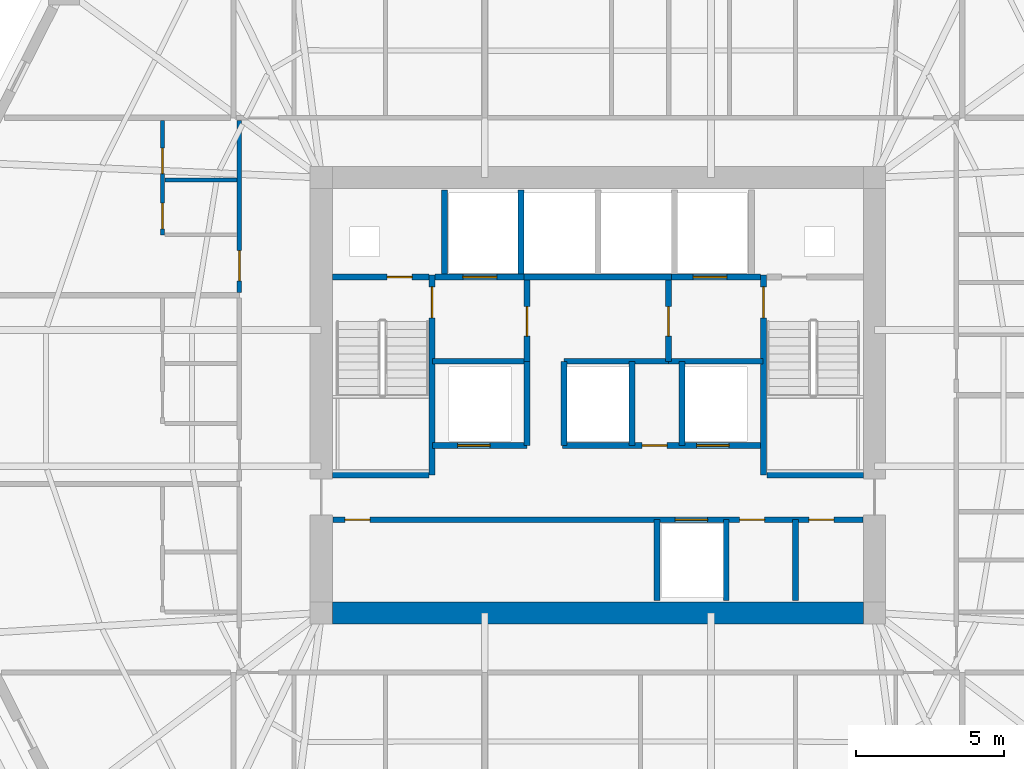
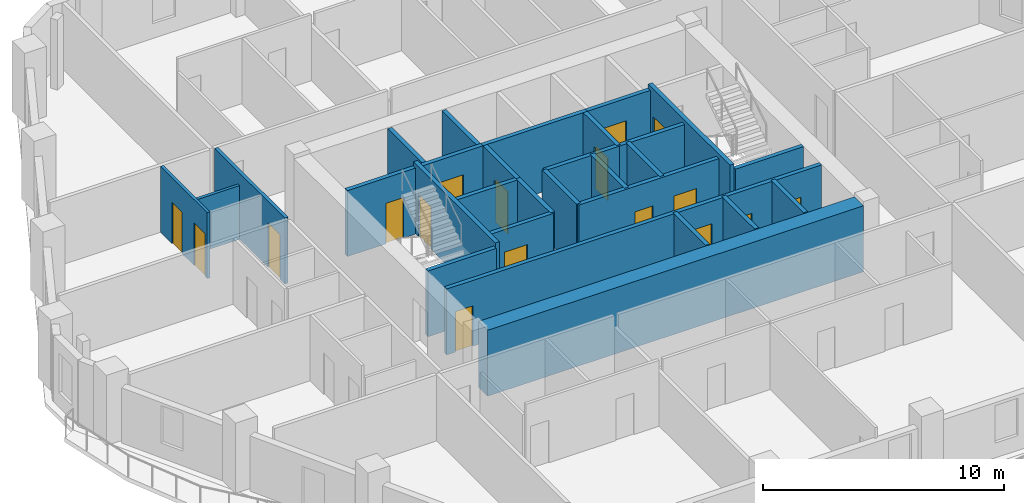
# One storey, part 5 of 11: 29 walls, 17 doors, 17 openings.
"""IFC4 building model written with IfcOpenShell, lengths in metres."""

from ifc_helpers import new_model, si_unit, direction, frame, frame_2d, origin, place, context, subcontext, project, spatial, rectangle, extrude, material, layer, layer_set, type_object, element, fill, save


model = new_model("IFC4")

# Units and contexts
model_context = context("Model", 3, precision=1e-05, world=origin(), true_north=direction((0.0, 1.0)))
body_context = subcontext(model_context, "Body", "Model", "MODEL_VIEW")
ifc_project = project(units=[si_unit("LENGTHUNIT", "METRE"), si_unit("AREAUNIT", "SQUARE_METRE"), si_unit("VOLUMEUNIT", "CUBIC_METRE"), si_unit("PLANEANGLEUNIT", "RADIAN"), si_unit("MASSUNIT", "GRAM", prefix="KILO")], contexts=[model_context])

# Site, building, storey
site_placement = place(None, origin())
site = spatial("IfcSite", under=ifc_project, at=site_placement, CompositionType="ELEMENT")
building_placement = place(site_placement, origin())
building = spatial("IfcBuilding", under=site, at=building_placement, Name="Cinnabar Lancet Tower", CompositionType="ELEMENT")
storey_placement = place(building_placement, frame((0.0, 0.0, 133.89990234375)))
storey = spatial("IfcBuildingStorey", under=building, at=storey_placement, Name="L35", CompositionType="ELEMENT", Elevation=133.89990234375)

# Wall, opening, door
ifc_material_1 = material(Name="Acoustic twin-stud gypsum partition", Category="gypsum")
ifc_layer_1 = layer(ifc_material_1, 0.159912109375)
ifc_layer_set_1 = layer_set([ifc_layer_1], Name="Acoustic twin-stud gypsum partition")
wall_type_1 = type_object("IfcWallType", Name="ARC-WL-CORR-160", PredefinedType="PARTITIONING", material=ifc_layer_set_1)
wall_1_placement = place(storey_placement, frame((20.25, 29.37890625, 0.0), z_axis=(0.0, 0.0, 1.0), x_axis=(0.0, 1.0, 0.0)))
wall_1 = element("IfcWall", 1, at=wall_1_placement, inside=storey, type_object=wall_type_1, Name="UW-L35-W03-COR", PredefinedType="PARTITIONING", context=body_context, shape_type="SweptSolid", body=[
    extrude(rectangle(XDim=5.826171875, YDim=0.159912109375, at=frame_2d((2.9130859375, 0.0))), origin(), (0.0, 0.0, 1.0), 3.340087890625),
])
opening_1_placement = place(wall_1_placement, frame((0.39990234375, 0.0, 0.0)))
opening_1 = element("IfcOpeningElement", 2, at=opening_1_placement, cuts=wall_1, Name="Opening UD-01", PredefinedType="OPENING", context=body_context, shape_type="SweptSolid", body=[
    extrude(rectangle(XDim=1.02001953125, YDim=2.25, at=frame_2d((0.510009765625, 1.125))), frame((0.0, 0.08984375, 0.0), z_axis=(0.0, -1.0, 0.0), x_axis=(1.0, 0.0, 0.0)), (0.0, 0.0, 1.0), 0.179931640625),
])
ifc_material_2 = material(Name="Solid timber fire-rated apartment entrance door", Category="wood")
door_type_1 = type_object("IfcDoorType", Name="ARC-DR-UNIT", OperationType="NOTDEFINED", PredefinedType="DOOR", material=ifc_material_2)
door_1_placement = place(opening_1_placement, origin())
door_1 = element("IfcDoor", 3, at=door_1_placement, inside=storey, type_object=door_type_1, Name="DR-L35-W03-ENT", OperationType="SINGLE_SWING_LEFT", OverallHeight=2.25, OverallWidth=1.02001953125, PredefinedType="DOOR", context=body_context, shape_type="SweptSolid", body=[
    extrude(rectangle(XDim=1.02001953125, YDim=2.25, at=frame_2d((0.510009765625, 1.125))), frame((0.0, 0.02490234375, 0.0), z_axis=(0.0, -1.0, 0.0), x_axis=(1.0, 0.0, 0.0)), (0.0, 0.0, 1.0), 0.050048828125),
])
fill(opening_1, door_1)

# Walls
ifc_material_3 = material(Name="Autoclaved aerated concrete blockwork", Category="masonry")
ifc_layer_2 = layer(ifc_material_3, 0.199951171875)
ifc_layer_set_2 = layer_set([ifc_layer_2], Name="Autoclaved aerated concrete blockwork")
wall_type_2 = type_object("IfcWallType", Name="ARC-WL-SHAFT-200", PredefinedType="PLUMBINGWALL", material=ifc_layer_set_2)
for number, where, z_axis, x_axis, name in (
    (4, (23.405029296875, 23.199951171875, 0.0), (0.0, 0.0, 1.0), (1.0, 0.0, 0.0), "CW-ST1S-L35"),
    (5, (38.125, 23.199951171875, 0.0), (0.0, 0.0, 1.0), (1.0, 0.0, 0.0), "CW-ST2S-L35"),
):
    element("IfcWall", number, at=place(storey_placement, frame(where, z_axis=z_axis, x_axis=x_axis)), inside=storey, type_object=wall_type_2, Name=name, PredefinedType="PLUMBINGWALL", context=body_context, shape_type="SweptSolid", body=[
        extrude(rectangle(XDim=3.27001953125, YDim=0.199951171875, at=frame_2d((1.635009765625, 0.0))), origin(), (0.0, 0.0, 1.0), 3.340087890625),
    ])

# Wall, opening, door
wall_2_placement = place(storey_placement, frame((23.405029296875, 29.89990234375, 0.0), z_axis=(0.0, 0.0, 1.0), x_axis=(1.0, 0.0, 0.0)))
wall_2 = element("IfcWall", 6, at=wall_2_placement, inside=storey, type_object=wall_type_2, Name="CW-NSH-W-L35", PredefinedType="PLUMBINGWALL", context=body_context, shape_type="SweptSolid", body=[
    extrude(rectangle(XDim=3.27001953125, YDim=0.199951171875, at=frame_2d((1.635009765625, 0.0))), origin(), (0.0, 0.0, 1.0), 3.340087890625),
])
opening_2_placement = place(wall_2_placement, frame((1.85009765625, 0.0, 0.0)))
opening_2 = element("IfcOpeningElement", 7, at=opening_2_placement, cuts=wall_2, Name="Opening PD-02", PredefinedType="OPENING", context=body_context, shape_type="SweptSolid", body=[
    extrude(rectangle(XDim=0.85009765625, YDim=2.050048828125, at=frame_2d((0.425048828125, 1.02490234375))), frame((0.0, 0.10986328125, 0.0), z_axis=(0.0, -1.0, 0.0), x_axis=(1.0, 0.0, 0.0)), (0.0, 0.0, 1.0), 0.219970703125),
])
ifc_material_4 = material(Name="Fire-rated steel riser access door", Category="steel")
door_type_2 = type_object("IfcDoorType", Name="ARC-DR-RISER", OperationType="NOTDEFINED", PredefinedType="DOOR", material=ifc_material_4)
door_2_placement = place(opening_2_placement, origin())
door_2 = element("IfcDoor", 8, at=door_2_placement, inside=storey, type_object=door_type_2, Name="L35 West Riser Access Door", OperationType="SINGLE_SWING_LEFT", OverallHeight=2.050048828125, OverallWidth=0.85009765625, PredefinedType="DOOR", context=body_context, shape_type="SweptSolid", body=[
    extrude(rectangle(XDim=0.85009765625, YDim=2.050048828125, at=frame_2d((0.425048828125, 1.02490234375))), frame((0.0, 0.02490234375, 0.0), z_axis=(0.0, -1.0, 0.0), x_axis=(1.0, 0.0, 0.0)), (0.0, 0.0, 1.0), 0.050048828125),
])
fill(opening_2, door_2)

wall_3_placement = place(storey_placement, frame((26.885009765625, 29.89990234375, 0.0), z_axis=(0.0, 0.0, 1.0), x_axis=(1.0, 0.0, 0.0)))
wall_3 = element("IfcWall", 9, at=wall_3_placement, inside=storey, type_object=wall_type_2, Name="CW-FL1-L35", PredefinedType="PLUMBINGWALL", context=body_context, shape_type="SweptSolid", body=[
    extrude(rectangle(XDim=3.014892578125, YDim=0.199951171875, at=frame_2d((1.50732421875, 0.0))), origin(), (0.0, 0.0, 1.0), 3.340087890625),
])
opening_3_placement = place(wall_3_placement, frame((0.93994140625, 0.0, 0.0)))
opening_3 = element("IfcOpeningElement", 10, at=opening_3_placement, cuts=wall_3, Name="Opening LD-02", PredefinedType="OPENING", context=body_context, shape_type="SweptSolid", body=[
    extrude(rectangle(XDim=1.14990234375, YDim=2.199951171875, at=frame_2d((0.574951171875, 1.10009765625))), frame((0.0, 0.10986328125, 0.0), z_axis=(0.0, -1.0, 0.0), x_axis=(1.0, 0.0, 0.0)), (0.0, 0.0, 1.0), 0.219970703125),
])
ifc_material_5 = material(Name="Fire-rated stainless steel firefighting lift landing door", Category="steel")
door_type_3 = type_object("IfcDoorType", Name="ARC-DR-LD-FIRE", OperationType="NOTDEFINED", PredefinedType="DOOR", material=ifc_material_5)
door_3_placement = place(opening_3_placement, origin())
door_3 = element("IfcDoor", 11, at=door_3_placement, inside=storey, type_object=door_type_3, Name="L35 Firefighting Lift FL-1 Landing Door", OperationType="DOUBLE_DOOR_SLIDING", OverallHeight=2.199951171875, OverallWidth=1.14990234375, PredefinedType="DOOR", context=body_context, shape_type="SweptSolid", body=[
    extrude(rectangle(XDim=1.14990234375, YDim=2.199951171875, at=frame_2d((0.574951171875, 1.10009765625))), frame((0.0, 0.02490234375, 0.0), z_axis=(0.0, -1.0, 0.0), x_axis=(1.0, 0.0, 0.0)), (0.0, 0.0, 1.0), 0.050048828125),
])
fill(opening_3, door_3)

# Wall
wall_4_placement = place(storey_placement, frame((29.89990234375, 29.89990234375, 0.0), z_axis=(0.0, 0.0, 1.0), x_axis=(1.0, 0.0, 0.0)))
element("IfcWall", 12, at=wall_4_placement, inside=storey, type_object=wall_type_2, Name="CW-PL78-L35", PredefinedType="PLUMBINGWALL", context=body_context, shape_type="SweptSolid", body=[
    extrude(rectangle(XDim=5.0, YDim=0.199951171875, at=frame_2d((2.5, 0.0))), origin(), (0.0, 0.0, 1.0), 3.340087890625),
])

# Wall, opening, door
wall_5_placement = place(storey_placement, frame((34.89990234375, 29.89990234375, 0.0), z_axis=(0.0, 0.0, 1.0), x_axis=(1.0, 0.0, 0.0)))
wall_5 = element("IfcWall", 13, at=wall_5_placement, inside=storey, type_object=wall_type_2, Name="CW-FL2-L35", PredefinedType="PLUMBINGWALL", context=body_context, shape_type="SweptSolid", body=[
    extrude(rectangle(XDim=3.01513671875, YDim=0.199951171875, at=frame_2d((1.507568359375, 0.0))), origin(), (0.0, 0.0, 1.0), 3.340087890625),
])
opening_4_placement = place(wall_5_placement, frame((0.72509765625, 0.0, 0.0)))
opening_4 = element("IfcOpeningElement", 14, at=opening_4_placement, cuts=wall_5, Name="Opening LD-02", PredefinedType="OPENING", context=body_context, shape_type="SweptSolid", body=[
    extrude(rectangle(XDim=1.14990234375, YDim=2.199951171875, at=frame_2d((0.574951171875, 1.10009765625))), frame((0.0, 0.10986328125, 0.0), z_axis=(0.0, -1.0, 0.0), x_axis=(1.0, 0.0, 0.0)), (0.0, 0.0, 1.0), 0.219970703125),
])
door_4_placement = place(opening_4_placement, origin())
door_4 = element("IfcDoor", 15, at=door_4_placement, inside=storey, type_object=door_type_3, Name="L35 Firefighting Lift FL-2 Landing Door", OperationType="DOUBLE_DOOR_SLIDING", OverallHeight=2.199951171875, OverallWidth=1.14990234375, PredefinedType="DOOR", context=body_context, shape_type="SweptSolid", body=[
    extrude(rectangle(XDim=1.14990234375, YDim=2.199951171875, at=frame_2d((0.574951171875, 1.10009765625))), frame((0.0, 0.02490234375, 0.0), z_axis=(0.0, -1.0, 0.0), x_axis=(1.0, 0.0, 0.0)), (0.0, 0.0, 1.0), 0.050048828125),
])
fill(opening_4, door_4)

# Walls
for number, where, z_axis, x_axis, name in (
    (16, (27.199951171875, 30.0, 0.0), (0.0, 0.0, 1.0), (0.0, 1.0, 0.0), "CW-NSH-D1-L35"),
    (17, (29.800048828125, 30.0, 0.0), (0.0, 0.0, 1.0), (0.0, 1.0, 0.0), "CW-NSH-D2-L35"),
):
    element("IfcWall", number, at=place(storey_placement, frame(where, z_axis=z_axis, x_axis=x_axis)), inside=storey, type_object=wall_type_2, Name=name, PredefinedType="PLUMBINGWALL", context=body_context, shape_type="SweptSolid", body=[
        extrude(rectangle(XDim=2.85009765625, YDim=0.199951171875, at=frame_2d((1.425048828125, 0.0))), origin(), (0.0, 0.0, 1.0), 3.340087890625),
    ])

# Wall, opening, door
wall_6_placement = place(storey_placement, frame((30.0, 27.050048828125, 0.0), z_axis=(0.0, 0.0, 1.0), x_axis=(0.0, 1.0, 0.0)))
wall_6 = element("IfcWall", 18, at=wall_6_placement, inside=storey, type_object=wall_type_2, Name="CW-FF1E-L35", PredefinedType="PLUMBINGWALL", context=body_context, shape_type="SweptSolid", body=[
    extrude(rectangle(XDim=2.75, YDim=0.199951171875, at=frame_2d((1.375, 0.0))), origin(), (0.0, 0.0, 1.0), 3.340087890625),
])
opening_5_placement = place(wall_6_placement, frame((0.85009765625, 0.0, 0.0)))
opening_5 = element("IfcOpeningElement", 19, at=opening_5_placement, cuts=wall_6, Name="Opening FD-01", PredefinedType="OPENING", context=body_context, shape_type="SweptSolid", body=[
    extrude(rectangle(XDim=1.0, YDim=2.14990234375, at=frame_2d((0.5, 1.074951171875))), frame((0.0, 0.10986328125, 0.0), z_axis=(0.0, -1.0, 0.0), x_axis=(1.0, 0.0, 0.0)), (0.0, 0.0, 1.0), 0.219970703125),
])
ifc_material_6 = material(Name="Fire-rated timber-core lobby door", Category="wood")
door_type_4 = type_object("IfcDoorType", Name="ARC-DR-FFAL", OperationType="NOTDEFINED", PredefinedType="DOOR", material=ifc_material_6)
door_5_placement = place(opening_5_placement, origin())
door_5 = element("IfcDoor", 20, at=door_5_placement, inside=storey, type_object=door_type_4, Name="L35 FFAL-1 Lobby Fire Door", OperationType="SINGLE_SWING_RIGHT", OverallHeight=2.14990234375, OverallWidth=1.0, PredefinedType="DOOR", context=body_context, shape_type="SweptSolid", body=[
    extrude(rectangle(XDim=1.0, YDim=2.14990234375, at=frame_2d((0.5, 1.074951171875))), frame((0.0, 0.02490234375, 0.0), z_axis=(0.0, -1.0, 0.0), x_axis=(1.0, 0.0, 0.0)), (0.0, 0.0, 1.0), 0.050048828125),
])
fill(opening_5, door_5)

# Wall
wall_7_placement = place(storey_placement, frame((26.800048828125, 27.050048828125, 0.0), z_axis=(0.0, 0.0, 1.0), x_axis=(1.0, 0.0, 0.0)))
element("IfcWall", 21, at=wall_7_placement, inside=storey, type_object=wall_type_2, Name="CW-FF1S-L35", PredefinedType="PLUMBINGWALL", context=body_context, shape_type="SweptSolid", body=[
    extrude(rectangle(XDim=3.199951171875, YDim=0.199951171875, at=frame_2d((1.60009765625, 0.0))), origin(), (0.0, 0.0, 1.0), 3.340087890625),
])

# Wall, opening, door
wall_8_placement = place(storey_placement, frame((34.800048828125, 27.050048828125, 0.0), z_axis=(0.0, 0.0, 1.0), x_axis=(0.0, 1.0, 0.0)))
wall_8 = element("IfcWall", 22, at=wall_8_placement, inside=storey, type_object=wall_type_2, Name="CW-FF2W-L35", PredefinedType="PLUMBINGWALL", context=body_context, shape_type="SweptSolid", body=[
    extrude(rectangle(XDim=2.75, YDim=0.199951171875, at=frame_2d((1.375, 0.0))), origin(), (0.0, 0.0, 1.0), 3.340087890625),
])
opening_6_placement = place(wall_8_placement, frame((0.85009765625, 0.0, 0.0)))
opening_6 = element("IfcOpeningElement", 23, at=opening_6_placement, cuts=wall_8, Name="Opening FD-01", PredefinedType="OPENING", context=body_context, shape_type="SweptSolid", body=[
    extrude(rectangle(XDim=1.0, YDim=2.14990234375, at=frame_2d((0.5, 1.074951171875))), frame((0.0, 0.10986328125, 0.0), z_axis=(0.0, -1.0, 0.0), x_axis=(1.0, 0.0, 0.0)), (0.0, 0.0, 1.0), 0.219970703125),
])
door_6_placement = place(opening_6_placement, origin())
door_6 = element("IfcDoor", 24, at=door_6_placement, inside=storey, type_object=door_type_4, Name="L35 FFAL-2 Lobby Fire Door", OperationType="SINGLE_SWING_LEFT", OverallHeight=2.14990234375, OverallWidth=1.0, PredefinedType="DOOR", context=body_context, shape_type="SweptSolid", body=[
    extrude(rectangle(XDim=1.0, YDim=2.14990234375, at=frame_2d((0.5, 1.074951171875))), frame((0.0, 0.02490234375, 0.0), z_axis=(0.0, -1.0, 0.0), x_axis=(1.0, 0.0, 0.0)), (0.0, 0.0, 1.0), 0.050048828125),
])
fill(opening_6, door_6)

# Wall
wall_9_placement = place(storey_placement, frame((34.800048828125, 27.050048828125, 0.0), z_axis=(0.0, 0.0, 1.0), x_axis=(1.0, 0.0, 0.0)))
element("IfcWall", 25, at=wall_9_placement, inside=storey, type_object=wall_type_2, Name="CW-FF2S-L35", PredefinedType="PLUMBINGWALL", context=body_context, shape_type="SweptSolid", body=[
    extrude(rectangle(XDim=3.199951171875, YDim=0.199951171875, at=frame_2d((1.60009765625, 0.0))), origin(), (0.0, 0.0, 1.0), 3.340087890625),
])

# Wall, opening, door
wall_10_placement = place(storey_placement, frame((26.800048828125, 24.199951171875, 0.0), z_axis=(0.0, 0.0, 1.0), x_axis=(1.0, 0.0, 0.0)))
wall_10 = element("IfcWall", 26, at=wall_10_placement, inside=storey, type_object=wall_type_2, Name="CW-PL5S-L35", PredefinedType="PLUMBINGWALL", context=body_context, shape_type="SweptSolid", body=[
    extrude(rectangle(XDim=3.199951171875, YDim=0.199951171875, at=frame_2d((1.60009765625, 0.0))), origin(), (0.0, 0.0, 1.0), 3.340087890625),
])
opening_7_placement = place(wall_10_placement, frame((0.85009765625, 0.0, 0.0)))
opening_7 = element("IfcOpeningElement", 27, at=opening_7_placement, cuts=wall_10, Name="Opening LD-01", PredefinedType="OPENING", context=body_context, shape_type="SweptSolid", body=[
    extrude(rectangle(XDim=1.10009765625, YDim=2.199951171875, at=frame_2d((0.550048828125, 1.10009765625))), frame((0.0, 0.10986328125, 0.0), z_axis=(0.0, -1.0, 0.0), x_axis=(1.0, 0.0, 0.0)), (0.0, 0.0, 1.0), 0.219970703125),
])
ifc_material_7 = material(Name="Brushed stainless steel sliding lift door", Category="steel")
door_type_5 = type_object("IfcDoorType", Name="ARC-DR-LD-PASS", OperationType="NOTDEFINED", PredefinedType="DOOR", material=ifc_material_7)
door_7_placement = place(opening_7_placement, origin())
door_7 = element("IfcDoor", 28, at=door_7_placement, inside=storey, type_object=door_type_5, Name="L35 Lift PL-5 Landing Door", OperationType="DOUBLE_DOOR_SLIDING", OverallHeight=2.199951171875, OverallWidth=1.10009765625, PredefinedType="DOOR", context=body_context, shape_type="SweptSolid", body=[
    extrude(rectangle(XDim=1.10009765625, YDim=2.199951171875, at=frame_2d((0.550048828125, 1.10009765625))), frame((0.0, 0.02490234375, 0.0), z_axis=(0.0, -1.0, 0.0), x_axis=(1.0, 0.0, 0.0)), (0.0, 0.0, 1.0), 0.050048828125),
])
fill(opening_7, door_7)

# Wall
wall_11_placement = place(storey_placement, frame((30.0, 24.199951171875, 0.0), z_axis=(0.0, 0.0, 1.0), x_axis=(0.0, 1.0, 0.0)))
element("IfcWall", 29, at=wall_11_placement, inside=storey, type_object=wall_type_2, Name="CW-PL5E-L35", PredefinedType="PLUMBINGWALL", context=body_context, shape_type="SweptSolid", body=[
    extrude(rectangle(XDim=2.85009765625, YDim=0.199951171875, at=frame_2d((1.425048828125, 0.0))), origin(), (0.0, 0.0, 1.0), 3.340087890625),
])

# Wall, openings, doors
wall_12_placement = place(storey_placement, frame((31.199951171875, 24.199951171875, 0.0), z_axis=(0.0, 0.0, 1.0), x_axis=(1.0, 0.0, 0.0)))
wall_12 = element("IfcWall", 30, at=wall_12_placement, inside=storey, type_object=wall_type_2, Name="CW-PL96S-L35", PredefinedType="PLUMBINGWALL", context=body_context, shape_type="SweptSolid", body=[
    extrude(rectangle(XDim=6.800048828125, YDim=0.199951171875, at=frame_2d((3.39990234375, 0.0))), origin(), (0.0, 0.0, 1.0), 3.340087890625),
])
opening_8_placement = place(wall_12_placement, frame((2.699951171875, 0.0, 0.0)))
opening_8 = element("IfcOpeningElement", 31, at=opening_8_placement, cuts=wall_12, Name="Opening PD-02", PredefinedType="OPENING", context=body_context, shape_type="SweptSolid", body=[
    extrude(rectangle(XDim=0.85009765625, YDim=2.050048828125, at=frame_2d((0.425048828125, 1.02490234375))), frame((0.0, 0.10986328125, 0.0), z_axis=(0.0, -1.0, 0.0), x_axis=(1.0, 0.0, 0.0)), (0.0, 0.0, 1.0), 0.219970703125),
])
opening_9_placement = place(wall_12_placement, frame((4.550048828125, 0.0, 0.0)))
opening_9 = element("IfcOpeningElement", 32, at=opening_9_placement, cuts=wall_12, Name="Opening LD-01", PredefinedType="OPENING", context=body_context, shape_type="SweptSolid", body=[
    extrude(rectangle(XDim=1.10009765625, YDim=2.199951171875, at=frame_2d((0.550048828125, 1.10009765625))), frame((0.0, 0.10986328125, 0.0), z_axis=(0.0, -1.0, 0.0), x_axis=(1.0, 0.0, 0.0)), (0.0, 0.0, 1.0), 0.219970703125),
])
door_8_placement = place(opening_9_placement, origin())
door_8 = element("IfcDoor", 33, at=door_8_placement, inside=storey, type_object=door_type_5, Name="L35 Lift PL-6 Landing Door", OperationType="DOUBLE_DOOR_SLIDING", OverallHeight=2.199951171875, OverallWidth=1.10009765625, PredefinedType="DOOR", context=body_context, shape_type="SweptSolid", body=[
    extrude(rectangle(XDim=1.10009765625, YDim=2.199951171875, at=frame_2d((0.550048828125, 1.10009765625))), frame((0.0, 0.02490234375, 0.0), z_axis=(0.0, -1.0, 0.0), x_axis=(1.0, 0.0, 0.0)), (0.0, 0.0, 1.0), 0.050048828125),
])
fill(opening_9, door_8)
door_9_placement = place(opening_8_placement, origin())
door_9 = element("IfcDoor", 34, at=door_9_placement, inside=storey, type_object=door_type_2, Name="L35 BMS Closet Door", OperationType="SINGLE_SWING_LEFT", OverallHeight=2.050048828125, OverallWidth=0.85009765625, PredefinedType="DOOR", context=body_context, shape_type="SweptSolid", body=[
    extrude(rectangle(XDim=0.85009765625, YDim=2.050048828125, at=frame_2d((0.425048828125, 1.02490234375))), frame((0.0, 0.02490234375, 0.0), z_axis=(0.0, -1.0, 0.0), x_axis=(1.0, 0.0, 0.0)), (0.0, 0.0, 1.0), 0.050048828125),
])
fill(opening_8, door_9)

# Walls
for number, where, z_axis, x_axis, name in (
    (35, (31.25, 24.199951171875, 0.0), (0.0, 0.0, 1.0), (0.0, 1.0, 0.0), "CW-PL9W-L35"),
    (36, (33.550048828125, 24.199951171875, 0.0), (0.0, 0.0, 1.0), (0.0, 1.0, 0.0), "CW-PL9E-L35"),
    (37, (35.25, 24.199951171875, 0.0), (0.0, 0.0, 1.0), (0.0, 1.0, 0.0), "CW-PL6W-L35"),
):
    element("IfcWall", number, at=place(storey_placement, frame(where, z_axis=z_axis, x_axis=x_axis)), inside=storey, type_object=wall_type_2, Name=name, PredefinedType="PLUMBINGWALL", context=body_context, shape_type="SweptSolid", body=[
        extrude(rectangle(XDim=2.85009765625, YDim=0.199951171875, at=frame_2d((1.425048828125, 0.0))), origin(), (0.0, 0.0, 1.0), 3.340087890625),
    ])
wall_13_placement = place(storey_placement, frame((31.25, 27.050048828125, 0.0), z_axis=(0.0, 0.0, 1.0), x_axis=(1.0, 0.0, 0.0)))
element("IfcWall", 38, at=wall_13_placement, inside=storey, type_object=wall_type_2, Name="CW-PL96N-L35", PredefinedType="PLUMBINGWALL", context=body_context, shape_type="SweptSolid", body=[
    extrude(rectangle(XDim=3.550048828125, YDim=0.199951171875, at=frame_2d((1.77490234375, 0.0))), origin(), (0.0, 0.0, 1.0), 3.340087890625),
])

# Wall, openings, doors
wall_14_placement = place(storey_placement, frame((23.419921875, 21.679931640625, 0.0), z_axis=(0.0, 0.0, 1.0), x_axis=(1.0, 0.0, 0.0)))
wall_14 = element("IfcWall", 39, at=wall_14_placement, inside=storey, type_object=wall_type_2, Name="CW-SBANDN-L35", PredefinedType="PLUMBINGWALL", context=body_context, shape_type="SweptSolid", body=[
    extrude(rectangle(XDim=17.9599609375, YDim=0.199951171875, at=frame_2d((8.97998046875, 0.0))), origin(), (0.0, 0.0, 1.0), 3.340087890625),
])
opening_10_placement = place(wall_14_placement, frame((11.60009765625, 0.0, 0.0)))
opening_10 = element("IfcOpeningElement", 40, at=opening_10_placement, cuts=wall_14, Name="Opening LD-01", PredefinedType="OPENING", context=body_context, shape_type="SweptSolid", body=[
    extrude(rectangle(XDim=1.10009765625, YDim=2.199951171875, at=frame_2d((0.550048828125, 1.10009765625))), frame((0.0, 0.10986328125, 0.0), z_axis=(0.0, -1.0, 0.0), x_axis=(1.0, 0.0, 0.0)), (0.0, 0.0, 1.0), 0.219970703125),
])
opening_11_placement = place(wall_14_placement, frame((0.409912109375, 0.0, 0.0)))
opening_11 = element("IfcOpeningElement", 41, at=opening_11_placement, cuts=wall_14, Name="Opening PD-02", PredefinedType="OPENING", context=body_context, shape_type="SweptSolid", body=[
    extrude(rectangle(XDim=0.85009765625, YDim=2.050048828125, at=frame_2d((0.425048828125, 1.02490234375))), frame((0.0, 0.10986328125, 0.0), z_axis=(0.0, -1.0, 0.0), x_axis=(1.0, 0.0, 0.0)), (0.0, 0.0, 1.0), 0.219970703125),
])
opening_12_placement = place(wall_14_placement, frame((13.780029296875, 0.0, 0.0)))
opening_12 = element("IfcOpeningElement", 42, at=opening_12_placement, cuts=wall_14, Name="Opening PD-02", PredefinedType="OPENING", context=body_context, shape_type="SweptSolid", body=[
    extrude(rectangle(XDim=0.85009765625, YDim=2.050048828125, at=frame_2d((0.425048828125, 1.02490234375))), frame((0.0, 0.10986328125, 0.0), z_axis=(0.0, -1.0, 0.0), x_axis=(1.0, 0.0, 0.0)), (0.0, 0.0, 1.0), 0.219970703125),
])
opening_13_placement = place(wall_14_placement, frame((16.1298828125, 0.0, 0.0)))
opening_13 = element("IfcOpeningElement", 43, at=opening_13_placement, cuts=wall_14, Name="Opening PD-02", PredefinedType="OPENING", context=body_context, shape_type="SweptSolid", body=[
    extrude(rectangle(XDim=0.85009765625, YDim=2.050048828125, at=frame_2d((0.425048828125, 1.02490234375))), frame((0.0, 0.10986328125, 0.0), z_axis=(0.0, -1.0, 0.0), x_axis=(1.0, 0.0, 0.0)), (0.0, 0.0, 1.0), 0.219970703125),
])
door_10_placement = place(opening_10_placement, origin())
door_10 = element("IfcDoor", 44, at=door_10_placement, inside=storey, type_object=door_type_5, Name="L35 Lift PL-4 Landing Door", OperationType="DOUBLE_DOOR_SLIDING", OverallHeight=2.199951171875, OverallWidth=1.10009765625, PredefinedType="DOOR", context=body_context, shape_type="SweptSolid", body=[
    extrude(rectangle(XDim=1.10009765625, YDim=2.199951171875, at=frame_2d((0.550048828125, 1.10009765625))), frame((0.0, 0.02490234375, 0.0), z_axis=(0.0, -1.0, 0.0), x_axis=(1.0, 0.0, 0.0)), (0.0, 0.0, 1.0), 0.050048828125),
])
fill(opening_10, door_10)
door_11_placement = place(opening_11_placement, origin())
door_11 = element("IfcDoor", 45, at=door_11_placement, inside=storey, type_object=door_type_2, Name="DR-L35-MREC1", OperationType="SINGLE_SWING_LEFT", OverallHeight=2.050048828125, OverallWidth=0.85009765625, PredefinedType="DOOR", context=body_context, shape_type="SweptSolid", body=[
    extrude(rectangle(XDim=0.85009765625, YDim=2.050048828125, at=frame_2d((0.425048828125, 1.02490234375))), frame((0.0, 0.02490234375, 0.0), z_axis=(0.0, -1.0, 0.0), x_axis=(1.0, 0.0, 0.0)), (0.0, 0.0, 1.0), 0.050048828125),
])
fill(opening_11, door_11)
door_12_placement = place(opening_12_placement, origin())
door_12 = element("IfcDoor", 46, at=door_12_placement, inside=storey, type_object=door_type_2, Name="DR-L35-MREC2", OperationType="SINGLE_SWING_RIGHT", OverallHeight=2.050048828125, OverallWidth=0.85009765625, PredefinedType="DOOR", context=body_context, shape_type="SweptSolid", body=[
    extrude(rectangle(XDim=0.85009765625, YDim=2.050048828125, at=frame_2d((0.425048828125, 1.02490234375))), frame((0.0, 0.02490234375, 0.0), z_axis=(0.0, -1.0, 0.0), x_axis=(1.0, 0.0, 0.0)), (0.0, 0.0, 1.0), 0.050048828125),
])
fill(opening_12, door_12)
door_13_placement = place(opening_13_placement, origin())
door_13 = element("IfcDoor", 47, at=door_13_placement, inside=storey, type_object=door_type_2, Name="DR-L35-MREC3", OperationType="SINGLE_SWING_LEFT", OverallHeight=2.050048828125, OverallWidth=0.85009765625, PredefinedType="DOOR", context=body_context, shape_type="SweptSolid", body=[
    extrude(rectangle(XDim=0.85009765625, YDim=2.050048828125, at=frame_2d((0.425048828125, 1.02490234375))), frame((0.0, 0.02490234375, 0.0), z_axis=(0.0, -1.0, 0.0), x_axis=(1.0, 0.0, 0.0)), (0.0, 0.0, 1.0), 0.050048828125),
])
fill(opening_13, door_13)

# Walls
for number, where, z_axis, x_axis, name in (
    (48, (34.39990234375, 18.949951171875, 0.0), (0.0, 0.0, 1.0), (0.0, 1.0, 0.0), "CW-SB-3440-L35"),
    (49, (36.75, 18.949951171875, 0.0), (0.0, 0.0, 1.0), (0.0, 1.0, 0.0), "CW-SB-3675-L35"),
    (50, (39.10009765625, 18.949951171875, 0.0), (0.0, 0.0, 1.0), (0.0, 1.0, 0.0), "CW-SB-3910-L35"),
):
    element("IfcWall", number, at=place(storey_placement, frame(where, z_axis=z_axis, x_axis=x_axis)), inside=storey, type_object=wall_type_2, Name=name, PredefinedType="PLUMBINGWALL", context=body_context, shape_type="SweptSolid", body=[
        extrude(rectangle(XDim=2.72998046875, YDim=0.199951171875, at=frame_2d((1.364990234375, 0.0))), origin(), (0.0, 0.0, 1.0), 3.340087890625),
    ])

# Wall, openings, doors
ifc_material_8 = material(Name="Moisture-resistant cement-board plumbing wall", Category="masonry")
ifc_layer_3 = layer(ifc_material_8, 0.139892578125)
ifc_layer_set_3 = layer_set([ifc_layer_3], Name="Moisture-resistant cement-board plumbing wall")
wall_type_3 = type_object("IfcWallType", Name="ARC-WL-WET-140", PredefinedType="PLUMBINGWALL", material=ifc_layer_set_3)
wall_15_placement = place(storey_placement, frame((17.64990234375, 31.333984375, 0.0), z_axis=(0.0, 0.0, 1.0), x_axis=(0.0, 1.0, 0.0)))
wall_15 = element("IfcWall", 51, at=wall_15_placement, inside=storey, type_object=wall_type_3, Name="UW-L35-W03-SPL", PredefinedType="PLUMBINGWALL", context=body_context, shape_type="SweptSolid", body=[
    extrude(rectangle(XDim=3.87109375, YDim=0.139892578125, at=frame_2d((1.935546875, 0.0))), origin(), (0.0, 0.0, 1.0), 3.340087890625),
])
opening_14_placement = place(wall_15_placement, frame((2.077880859375, 0.0, 0.0)))
opening_14 = element("IfcOpeningElement", 52, at=opening_14_placement, cuts=wall_15, Name="Opening BD-01", PredefinedType="OPENING", context=body_context, shape_type="SweptSolid", body=[
    extrude(rectangle(XDim=0.860107421875, YDim=2.10009765625, at=frame_2d((0.43017578125, 1.050048828125))), frame((0.0, 0.079833984375, 0.0), z_axis=(0.0, -1.0, 0.0), x_axis=(1.0, 0.0, 0.0)), (0.0, 0.0, 1.0), 0.159912109375),
])
opening_15_placement = place(wall_15_placement, frame((0.199951171875, 0.0, 0.0)))
opening_15 = element("IfcOpeningElement", 53, at=opening_15_placement, cuts=wall_15, Name="Opening RD-02", PredefinedType="OPENING", context=body_context, shape_type="SweptSolid", body=[
    extrude(rectangle(XDim=0.8798828125, YDim=2.14990234375, at=frame_2d((0.43994140625, 1.074951171875))), frame((0.0, 0.079833984375, 0.0), z_axis=(0.0, -1.0, 0.0), x_axis=(1.0, 0.0, 0.0)), (0.0, 0.0, 1.0), 0.159912109375),
])
ifc_material_9 = material(Name="Moisture-resistant timber bathroom door", Category="wood")
door_type_6 = type_object("IfcDoorType", Name="ARC-DR-BATH", OperationType="NOTDEFINED", PredefinedType="DOOR", material=ifc_material_9)
door_14_placement = place(opening_14_placement, origin())
door_14 = element("IfcDoor", 54, at=door_14_placement, inside=storey, type_object=door_type_6, Name="DR-L35-W03-BTH", OperationType="SINGLE_SWING_LEFT", OverallHeight=2.10009765625, OverallWidth=0.860107421875, PredefinedType="DOOR", context=body_context, shape_type="SweptSolid", body=[
    extrude(rectangle(XDim=0.860107421875, YDim=2.10009765625, at=frame_2d((0.43017578125, 1.050048828125))), frame((0.0, 0.02490234375, 0.0), z_axis=(0.0, -1.0, 0.0), x_axis=(1.0, 0.0, 0.0)), (0.0, 0.0, 1.0), 0.050048828125),
])
fill(opening_14, door_14)
ifc_material_10 = material(Name="Engineered timber study door", Category="wood")
door_type_7 = type_object("IfcDoorType", Name="ARC-DR-STUDY", OperationType="NOTDEFINED", PredefinedType="DOOR", material=ifc_material_10)
door_15_placement = place(opening_15_placement, origin())
door_15 = element("IfcDoor", 55, at=door_15_placement, inside=storey, type_object=door_type_7, Name="DR-L35-W03-KIT", OperationType="SINGLE_SWING_RIGHT", OverallHeight=2.14990234375, OverallWidth=0.8798828125, PredefinedType="DOOR", context=body_context, shape_type="SweptSolid", body=[
    extrude(rectangle(XDim=0.8798828125, YDim=2.14990234375, at=frame_2d((0.43994140625, 1.074951171875))), frame((0.0, 0.02490234375, 0.0), z_axis=(0.0, -1.0, 0.0), x_axis=(1.0, 0.0, 0.0)), (0.0, 0.0, 1.0), 0.050048828125),
])
fill(opening_15, door_15)

# Walls
wall_16_placement = place(storey_placement, frame((17.735107421875, 33.19189453125, 0.0), z_axis=(0.0, 0.0, 1.0), x_axis=(1.0, 0.0, 0.0)))
element("IfcWall", 56, at=wall_16_placement, inside=storey, type_object=wall_type_3, Name="UW-L35-W03-KDV", PredefinedType="PLUMBINGWALL", context=body_context, shape_type="SweptSolid", body=[
    extrude(rectangle(XDim=2.429931640625, YDim=0.139892578125, at=frame_2d((1.21484375, 0.0))), origin(), (0.0, 0.0, 1.0), 2.72216796875),
])
ifc_material_11 = material(Name="Concrete C70/85", Category="concrete")
ifc_layer_4 = layer(ifc_material_11, 0.75)
ifc_layer_set_4 = layer_set([ifc_layer_4], Name="Concrete C70/85")
wall_type_4 = type_object("IfcWallType", Name="STR-WL-CORE-750", PredefinedType="SHEAR", material=ifc_layer_set_4)
wall_17_placement = place(storey_placement, frame((23.39990234375, 18.52490234375, 0.0), z_axis=(0.0, 0.0, 1.0), x_axis=(1.0, 0.0, 0.0)))
element("IfcWall", 57, at=wall_17_placement, inside=storey, type_object=wall_type_4, Name="L35 Core Shear Wall S", PredefinedType="SHEAR", context=body_context, shape_type="SweptSolid", body=[
    extrude(rectangle(XDim=18.0, YDim=0.75, at=frame_2d((9.0, 0.0))), origin(), (0.0, 0.0, 1.0), 3.340087890625),
])

# Wall, opening, door
ifc_material_12 = material(Name="Concrete C50/60", Category="concrete")
ifc_layer_5 = layer(ifc_material_12, 0.199951171875)
ifc_layer_set_5 = layer_set([ifc_layer_5], Name="Concrete C50/60")
wall_type_5 = type_object("IfcWallType", Name="STR-WL-STAIR-200", PredefinedType="SHEAR", material=ifc_layer_set_5)
wall_18_placement = place(storey_placement, frame((26.780029296875, 23.199951171875, 0.0), z_axis=(0.0, 0.0, 1.0), x_axis=(0.0, 1.0, 0.0)))
wall_18 = element("IfcWall", 58, at=wall_18_placement, inside=storey, type_object=wall_type_5, Name="L35 Stair ST-1 Structural Enclosure Wall", PredefinedType="SHEAR", context=body_context, shape_type="SweptSolid", body=[
    extrude(rectangle(XDim=6.780029296875, YDim=0.199951171875, at=frame_2d((3.39013671875, 0.0))), origin(), (0.0, 0.0, 1.0), 3.550048828125),
])
opening_16_placement = place(wall_18_placement, frame((5.320068359375, 0.0, 0.0)))
opening_16 = element("IfcOpeningElement", 59, at=opening_16_placement, cuts=wall_18, Name="Opening SD-01", PredefinedType="OPENING", context=body_context, shape_type="SweptSolid", body=[
    extrude(rectangle(XDim=1.050048828125, YDim=2.14990234375, at=frame_2d((0.52490234375, 1.074951171875))), frame((0.0, 0.10986328125, 0.0), z_axis=(0.0, -1.0, 0.0), x_axis=(1.0, 0.0, 0.0)), (0.0, 0.0, 1.0), 0.219970703125),
])
ifc_material_13 = material(Name="Fire-rated steel stair exit door", Category="steel")
door_type_8 = type_object("IfcDoorType", Name="ARC-DR-STAIR", OperationType="NOTDEFINED", PredefinedType="DOOR", material=ifc_material_13)
door_16_placement = place(opening_16_placement, origin())
door_16 = element("IfcDoor", 60, at=door_16_placement, inside=storey, type_object=door_type_8, Name="L35 Stair ST-1 Fire Door", OperationType="SINGLE_SWING_LEFT", OverallHeight=2.14990234375, OverallWidth=1.050048828125, PredefinedType="DOOR", context=body_context, shape_type="SweptSolid", body=[
    extrude(rectangle(XDim=1.050048828125, YDim=2.14990234375, at=frame_2d((0.52490234375, 1.074951171875))), frame((0.0, 0.02490234375, 0.0), z_axis=(0.0, -1.0, 0.0), x_axis=(1.0, 0.0, 0.0)), (0.0, 0.0, 1.0), 0.050048828125),
])
fill(opening_16, door_16)

wall_19_placement = place(storey_placement, frame((38.02001953125, 23.199951171875, 0.0), z_axis=(0.0, 0.0, 1.0), x_axis=(0.0, 1.0, 0.0)))
wall_19 = element("IfcWall", 61, at=wall_19_placement, inside=storey, type_object=wall_type_5, Name="L35 Stair ST-2 Structural Enclosure Wall", PredefinedType="SHEAR", context=body_context, shape_type="SweptSolid", body=[
    extrude(rectangle(XDim=6.780029296875, YDim=0.199951171875, at=frame_2d((3.39013671875, 0.0))), origin(), (0.0, 0.0, 1.0), 3.550048828125),
])
opening_17_placement = place(wall_19_placement, frame((5.320068359375, 0.0, 0.0)))
opening_17 = element("IfcOpeningElement", 62, at=opening_17_placement, cuts=wall_19, Name="Opening SD-01", PredefinedType="OPENING", context=body_context, shape_type="SweptSolid", body=[
    extrude(rectangle(XDim=1.050048828125, YDim=2.14990234375, at=frame_2d((0.52490234375, 1.074951171875))), frame((0.0, 0.10986328125, 0.0), z_axis=(0.0, -1.0, 0.0), x_axis=(1.0, 0.0, 0.0)), (0.0, 0.0, 1.0), 0.219970703125),
])
door_17_placement = place(opening_17_placement, origin())
door_17 = element("IfcDoor", 63, at=door_17_placement, inside=storey, type_object=door_type_8, Name="L35 Stair ST-2 Fire Door", OperationType="SINGLE_SWING_RIGHT", OverallHeight=2.14990234375, OverallWidth=1.050048828125, PredefinedType="DOOR", context=body_context, shape_type="SweptSolid", body=[
    extrude(rectangle(XDim=1.050048828125, YDim=2.14990234375, at=frame_2d((0.52490234375, 1.074951171875))), frame((0.0, 0.02490234375, 0.0), z_axis=(0.0, -1.0, 0.0), x_axis=(1.0, 0.0, 0.0)), (0.0, 0.0, 1.0), 0.050048828125),
])
fill(opening_17, door_17)

save(model, "model.ifc")
